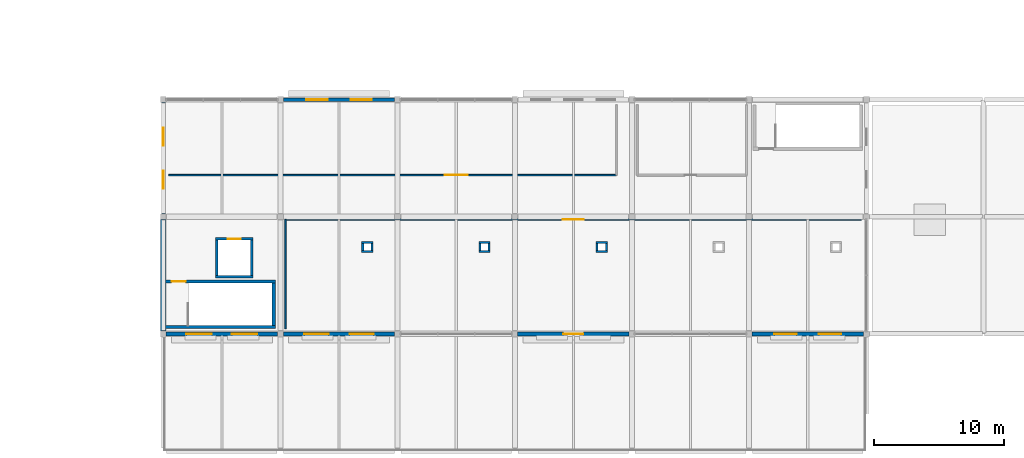
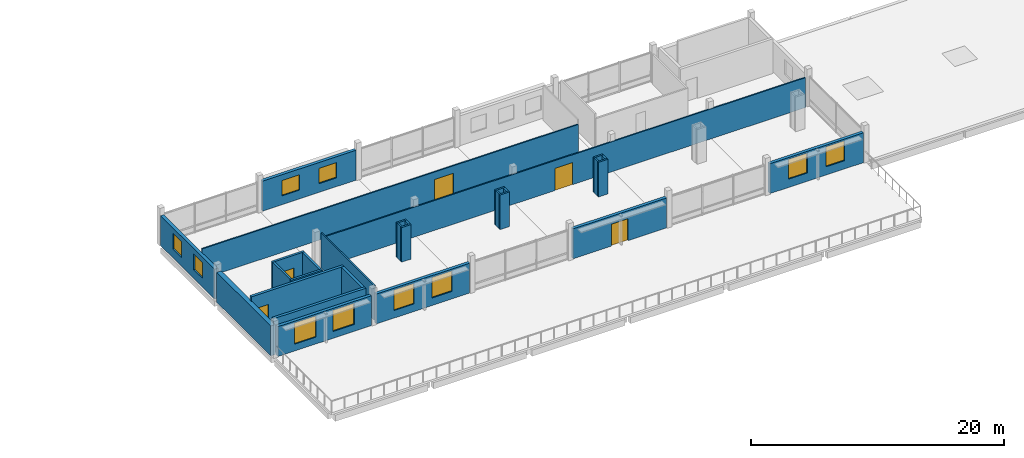
# One storey, part 153 of 163: 29 walls, 10 windows, 5 doors, 15 openings.
"""IFC4 building model written with IfcOpenShell, lengths in metres."""

import ifcopenshell
import ifcopenshell.guid

model = None  # the IFC model being written
_history = None  # IfcOwnerHistory: only IFC2X3 demands one
_inside = {}  # id of a spatial element -> (the spatial element, [elements in it])
_under = {}  # id of a project, library or spatial element -> (it, [spatial elements below it])
_declared = {}  # id of a project -> (the project, [libraries it declares])
_typed = {}  # id of a type object -> (the type object, [elements of that type])
_made_of = {}  # id of a material, layer set ... -> (it, [elements and type objects made of it])


def new_model(schema):
    """Start an empty IFC model of exactly this schema.

    Asked for "IFC4X3", IfcOpenShell would pick the latest addendum, in which some entities
    have other attributes; the version numbers below select the first issue.
    IFC2X3 requires an IfcOwnerHistory on every rooted entity: one is made here for all.
    """
    global model, _history
    if schema == "IFC4X3":
        model = ifcopenshell.file(schema_version=(4, 3, 0, 0))
    else:
        model = ifcopenshell.file(schema=schema)
    _inside.clear()
    _under.clear()
    _declared.clear()
    _typed.clear()
    _made_of.clear()
    _history = None
    if model.schema == "IFC2X3":
        org = make("IfcOrganization", Name="unknown")
        user = make(
            "IfcPersonAndOrganization",
            ThePerson=make("IfcPerson", FamilyName="unknown"),
            TheOrganization=org,
        )
        app = make(
            "IfcApplication",
            ApplicationDeveloper=org,
            Version="unknown",
            ApplicationFullName="unknown",
            ApplicationIdentifier="unknown",
        )
        _history = make(
            "IfcOwnerHistory",
            OwningUser=user,
            OwningApplication=app,
            ChangeAction="ADDED",
            CreationDate=0,
        )
    return model


def make(cls, **values):
    """One entity of the class cls with the attributes given. An attribute that is None is left unset."""
    return model.create_entity(
        cls, **{name: value for name, value in values.items() if value is not None}
    )


def rooted(cls, **values):
    """An entity with a GlobalId (a new one), such as an element, a storey or a relation."""
    return make(cls, GlobalId=ifcopenshell.guid.new(), OwnerHistory=_history, **values)


def si_unit(unit_type, name, prefix=None):
    """IfcSIUnit, for example si_unit("LENGTHUNIT", "METRE", prefix="MILLI")."""
    return make("IfcSIUnit", UnitType=unit_type, Prefix=prefix, Name=name)


def assignment(units):
    """IfcUnitAssignment: the units of a project."""
    return None if units is None else make("IfcUnitAssignment", Units=units)


def point(xyz):
    """IfcCartesianPoint."""
    return None if xyz is None else make("IfcCartesianPoint", Coordinates=xyz)


def direction(xyz):
    """IfcDirection."""
    return None if xyz is None else make("IfcDirection", DirectionRatios=xyz)


def frame(location, z_axis=None, x_axis=None):
    """IfcAxis2Placement3D, a coordinate frame: its origin and axes. An axis left out is left unset."""
    return make(
        "IfcAxis2Placement3D",
        Location=point(location),
        Axis=direction(z_axis),
        RefDirection=direction(x_axis),
    )


def frame_2d(location, x_axis=None):
    """IfcAxis2Placement2D, a coordinate frame in the plane: its origin and x axis."""
    return make(
        "IfcAxis2Placement2D", Location=point(location), RefDirection=direction(x_axis)
    )


def origin():
    """The frame at (0, 0, 0) with its axes left unset."""
    return frame((0.0, 0.0, 0.0))


def place(relative_to, where):
    """IfcLocalPlacement: puts the frame where relative to a parent placement (None: the world)."""
    return make(
        "IfcLocalPlacement", PlacementRelTo=relative_to, RelativePlacement=where
    )


def context(
    kind, dimensions, precision=None, world=None, true_north=None, identifier=None
):
    """IfcGeometricRepresentationContext, for example the 3D "Model" context."""
    return make(
        "IfcGeometricRepresentationContext",
        ContextIdentifier=identifier,
        ContextType=kind,
        CoordinateSpaceDimension=dimensions,
        Precision=precision,
        WorldCoordinateSystem=world,
        TrueNorth=true_north,
    )


def subcontext(parent, identifier, kind, view, scale=None):
    """IfcGeometricRepresentationSubContext, for example "Body" below "Model"."""
    return make(
        "IfcGeometricRepresentationSubContext",
        ContextIdentifier=identifier,
        ContextType=kind,
        ParentContext=parent,
        TargetScale=scale,
        TargetView=view,
    )


def project(units=None, contexts=None):
    """IfcProject with its units and contexts."""
    return rooted(
        "IfcProject",
        Name="project",
        RepresentationContexts=contexts,
        UnitsInContext=assignment(units),
    )


def spatial(cls, under=None, at=None, **own):
    """A site, building, storey or space (cls), placed at a placement, below another one or the project."""
    s = rooted(cls, ObjectPlacement=at, **own)
    if under is not None:
        _under.setdefault(under.id(), (under, []))[1].append(s)
    return s


def profile(cls, at=None, kind="AREA", **sizes):
    """A parametric profile (cls). Its sizes go by their IFC names, for example OverallWidth=200.0."""
    return make(cls, ProfileType=kind, Position=at, **sizes)


def rectangle(**sizes):
    """IfcRectangleProfileDef."""
    return profile("IfcRectangleProfileDef", **sizes)


def extrude(swept, where, along, depth):
    """IfcExtrudedAreaSolid: the profile swept, set in the frame where, extruded along a direction by depth."""
    return make(
        "IfcExtrudedAreaSolid",
        SweptArea=swept,
        Position=where,
        ExtrudedDirection=direction(along),
        Depth=depth,
    )


def shape(context_of_items, identifier, shape_type, items):
    """IfcShapeRepresentation: the items that make up one representation, for example the "Body"."""
    return make(
        "IfcShapeRepresentation",
        ContextOfItems=context_of_items,
        RepresentationIdentifier=identifier,
        RepresentationType=shape_type,
        Items=items,
    )


def material(Name=None, Category=None):
    """IfcMaterial."""
    return make("IfcMaterial", Name=Name, Category=Category)


def layer(
    of_material, thickness, ventilated=None, Name=None, Category=None, Priority=None
):
    """IfcMaterialLayer: one layer of a wall or slab, of a material (None: an air gap)."""
    return make(
        "IfcMaterialLayer",
        Material=of_material,
        LayerThickness=thickness,
        IsVentilated=ventilated,
        Name=Name,
        Category=Category,
        Priority=Priority,
    )


def layer_set(layers, Name=None):
    """IfcMaterialLayerSet."""
    return make("IfcMaterialLayerSet", MaterialLayers=layers, LayerSetName=Name)


def made_of(thing, what):
    """Note that an element or type object is made of a material, layer set ...; save() writes the relation."""
    if what is not None:
        _made_of.setdefault(what.id(), (what, []))[1].append(thing)
    return thing


def type_object(cls, material=None, **own):
    """A type object (cls), such as IfcWallType, which elements share."""
    return made_of(rooted(cls, **own), material)


def element(
    cls,
    number,
    at=None,
    inside=None,
    cuts=None,
    type_object=None,
    material=None,
    context=None,
    identifier="Body",
    shape_type=None,
    held_by="IfcProductDefinitionShape",
    body=None,
    shapes=None,
    **own,
):
    """One element of the class cls, such as IfcWall. Its Tag is "e" and its number.

    at: its placement. inside: the storey or other place that contains it. cuts: it is an
    opening in that element (IfcRelVoidsElement). A single representation is given by context,
    identifier, shape_type and body (its items); several are given by shapes. held_by: the class
    of the entity that holds the representations. save() writes the other relations.
    """
    e = rooted(cls, Tag="e%d" % number, ObjectPlacement=at, **own)
    if body is not None:
        shapes = [shape(context, identifier, shape_type, body)]
    if shapes is not None:
        e.Representation = make(held_by, Representations=shapes)
    if inside is not None:
        _inside.setdefault(inside.id(), (inside, []))[1].append(e)
    if cuts is not None:
        rooted(
            "IfcRelVoidsElement", RelatingBuildingElement=cuts, RelatedOpeningElement=e
        )
    if type_object is not None:
        _typed.setdefault(type_object.id(), (type_object, []))[1].append(e)
    return made_of(e, material)


def fill(opening, filler):
    """IfcRelFillsElement: the door or window that sits in an opening."""
    return rooted(
        "IfcRelFillsElement",
        RelatingOpeningElement=opening,
        RelatedBuildingElement=filler,
    )


def aggregate(whole, parts):
    """IfcRelAggregates: a whole, such as a stair, and the parts it consists of."""
    return rooted("IfcRelAggregates", RelatingObject=whole, RelatedObjects=parts)


def save(model, path):
    """Write the relations noted so far, then the file.

    IfcRelAggregates (storeys below a building ...), IfcRelContainedInSpatialStructure (elements
    in a storey), IfcRelDefinesByType, IfcRelAssociatesMaterial and IfcRelDeclares: one each for
    every whole, place, type object, material and project.
    """
    for whole, parts in _under.values():
        aggregate(whole, parts)
    for where, things in _inside.values():
        rooted(
            "IfcRelContainedInSpatialStructure",
            RelatedElements=things,
            RelatingStructure=where,
        )
    for kind, things in _typed.values():
        rooted("IfcRelDefinesByType", RelatedObjects=things, RelatingType=kind)
    for what, things in _made_of.values():
        rooted("IfcRelAssociatesMaterial", RelatedObjects=things, RelatingMaterial=what)
    for by, libraries in _declared.values():
        rooted("IfcRelDeclares", RelatingContext=by, RelatedDefinitions=libraries)
    model.write(path)


model = new_model("IFC4")

# Units and contexts
model_context = context("Model", 3, precision=1e-05, world=origin(), true_north=direction((0.0, 1.0)))
body_context = subcontext(model_context, "Body", "Model", "MODEL_VIEW")
ifc_project = project(units=[si_unit("LENGTHUNIT", "METRE"), si_unit("AREAUNIT", "SQUARE_METRE"), si_unit("VOLUMEUNIT", "CUBIC_METRE"), si_unit("PLANEANGLEUNIT", "RADIAN"), si_unit("MASSUNIT", "GRAM", prefix="KILO")], contexts=[model_context])

# Site, building, storey
site_placement = place(None, origin())
site = spatial("IfcSite", under=ifc_project, at=site_placement, CompositionType="ELEMENT")
building_placement = place(site_placement, origin())
building = spatial("IfcBuilding", under=site, at=building_placement, Name="Tharagai Park Tramway Depot", CompositionType="ELEMENT")
storey_placement = place(building_placement, frame((0.0, 0.0, 8.39990234375)))
storey = spatial("IfcBuildingStorey", under=building, at=storey_placement, Name="L02", CompositionType="ELEMENT", Elevation=8.39990234375)

# Wall, openings, windows
ifc_material_1 = material(Name="Pressed clay brick", Category="masonry")
ifc_layer_1 = layer(ifc_material_1, 0.280029296875)
ifc_layer_set_1 = layer_set([ifc_layer_1], Name="Pressed clay brick")
wall_type_1 = type_object("IfcWallType", Name="EW-02", PredefinedType="SOLIDWALL", material=ifc_layer_set_1)
wall_1_placement = place(storey_placement, frame((135.222900390625, 9.0, 0.0), z_axis=(0.0, 0.0, 1.0), x_axis=(1.0, 0.0, 0.0)))
wall_1 = element("IfcWall", 1, at=wall_1_placement, inside=storey, type_object=wall_type_1, Name="L02 V5 Exterior Masonry Wall EW-02", PredefinedType="SOLIDWALL", context=body_context, shape_type="SweptSolid", body=[
    extrude(rectangle(XDim=8.55419921875, YDim=0.280029296875, at=frame_2d((4.277099609375, 0.0))), origin(), (0.0, 0.0, 1.0), 2.89208984375),
])
opening_1_placement = place(wall_1_placement, frame((1.551025390625, 0.0, 0.659912109375)))
opening_1 = element("IfcOpeningElement", 2, at=opening_1_placement, cuts=wall_1, Name="Opening WN-19", PredefinedType="OPENING", context=body_context, shape_type="SweptSolid", body=[
    extrude(rectangle(XDim=1.949951171875, YDim=2.050048828125, at=frame_2d((0.97509765625, 1.02490234375))), frame((0.0, 0.14990234375, 0.0), z_axis=(0.0, -1.0, 0.0), x_axis=(1.0, 0.0, 0.0)), (0.0, 0.0, 1.0), 0.300048828125),
])
opening_2_placement = place(wall_1_placement, frame((5.052978515625, 0.0, 0.659912109375)))
opening_2 = element("IfcOpeningElement", 3, at=opening_2_placement, cuts=wall_1, Name="Opening WN-19", PredefinedType="OPENING", context=body_context, shape_type="SweptSolid", body=[
    extrude(rectangle(XDim=1.949951171875, YDim=2.050048828125, at=frame_2d((0.97509765625, 1.02490234375))), frame((0.0, 0.14990234375, 0.0), z_axis=(0.0, -1.0, 0.0), x_axis=(1.0, 0.0, 0.0)), (0.0, 0.0, 1.0), 0.300048828125),
])
ifc_material_2 = material(Name="Laminated solar-control glass", Category="glass")
window_type_1 = type_object("IfcWindowType", Name="WN-19", PartitioningType="SINGLE_PANEL", PredefinedType="WINDOW", material=ifc_material_2)
window_1_placement = place(opening_1_placement, origin())
window_1 = element("IfcWindow", 4, at=window_1_placement, inside=storey, type_object=window_type_1, Name="L02 V5 Gothic Lancet Window WN-19", OverallHeight=2.050048828125, OverallWidth=1.949951171875, PartitioningType="SINGLE_PANEL", PredefinedType="WINDOW", context=body_context, shape_type="SweptSolid", body=[
    extrude(rectangle(XDim=1.949951171875, YDim=2.050048828125, at=frame_2d((0.97509765625, 1.02490234375))), frame((0.0, 0.030029296875, 0.0), z_axis=(0.0, -1.0, 0.0), x_axis=(1.0, 0.0, 0.0)), (0.0, 0.0, 1.0), 0.06005859375),
])
fill(opening_1, window_1)
window_2_placement = place(opening_2_placement, origin())
window_2 = element("IfcWindow", 5, at=window_2_placement, inside=storey, type_object=window_type_1, Name="L02 V5 Gothic Lancet Window WN-19", OverallHeight=2.050048828125, OverallWidth=1.949951171875, PartitioningType="SINGLE_PANEL", PredefinedType="WINDOW", context=body_context, shape_type="SweptSolid", body=[
    extrude(rectangle(XDim=1.949951171875, YDim=2.050048828125, at=frame_2d((0.97509765625, 1.02490234375))), frame((0.0, 0.030029296875, 0.0), z_axis=(0.0, -1.0, 0.0), x_axis=(1.0, 0.0, 0.0)), (0.0, 0.0, 1.0), 0.06005859375),
])
fill(opening_2, window_2)

wall_2_placement = place(storey_placement, frame((144.222900390625, 9.0, 0.0), z_axis=(0.0, 0.0, 1.0), x_axis=(1.0, 0.0, 0.0)))
wall_2 = element("IfcWall", 6, at=wall_2_placement, inside=storey, type_object=wall_type_1, Name="L02 V5 Exterior Masonry Wall EW-02", PredefinedType="SOLIDWALL", context=body_context, shape_type="SweptSolid", body=[
    extrude(rectangle(XDim=8.55419921875, YDim=0.280029296875, at=frame_2d((4.277099609375, 0.0))), origin(), (0.0, 0.0, 1.0), 2.89208984375),
])
opening_3_placement = place(wall_2_placement, frame((1.617919921875, 0.0, 0.72998046875)))
opening_3 = element("IfcOpeningElement", 7, at=opening_3_placement, cuts=wall_2, Name="Opening WN-52", PredefinedType="OPENING", context=body_context, shape_type="SweptSolid", body=[
    extrude(rectangle(XDim=1.85009765625, YDim=1.97998046875, at=frame_2d((0.925048828125, 0.989990234375))), frame((0.0, 0.14990234375, 0.0), z_axis=(0.0, -1.0, 0.0), x_axis=(1.0, 0.0, 0.0)), (0.0, 0.0, 1.0), 0.300048828125),
])
opening_4_placement = place(wall_2_placement, frame((5.0859375, 0.0, 0.72998046875)))
opening_4 = element("IfcOpeningElement", 8, at=opening_4_placement, cuts=wall_2, Name="Opening WN-52", PredefinedType="OPENING", context=body_context, shape_type="SweptSolid", body=[
    extrude(rectangle(XDim=1.85009765625, YDim=1.97998046875, at=frame_2d((0.925048828125, 0.989990234375))), frame((0.0, 0.14990234375, 0.0), z_axis=(0.0, -1.0, 0.0), x_axis=(1.0, 0.0, 0.0)), (0.0, 0.0, 1.0), 0.300048828125),
])
window_type_2 = type_object("IfcWindowType", Name="WN-52", PartitioningType="SINGLE_PANEL", PredefinedType="WINDOW", material=ifc_material_2)
window_3_placement = place(opening_3_placement, origin())
window_3 = element("IfcWindow", 9, at=window_3_placement, inside=storey, type_object=window_type_2, Name="L02 V5 Gothic Lancet Window WN-52", OverallHeight=1.97998046875, OverallWidth=1.85009765625, PartitioningType="SINGLE_PANEL", PredefinedType="WINDOW", context=body_context, shape_type="SweptSolid", body=[
    extrude(rectangle(XDim=1.85009765625, YDim=1.97998046875, at=frame_2d((0.925048828125, 0.989990234375))), frame((0.0, 0.030029296875, 0.0), z_axis=(0.0, -1.0, 0.0), x_axis=(1.0, 0.0, 0.0)), (0.0, 0.0, 1.0), 0.06005859375),
])
fill(opening_3, window_3)
window_4_placement = place(opening_4_placement, origin())
window_4 = element("IfcWindow", 10, at=window_4_placement, inside=storey, type_object=window_type_2, Name="L02 V5 Gothic Lancet Window WN-52", OverallHeight=1.97998046875, OverallWidth=1.85009765625, PartitioningType="SINGLE_PANEL", PredefinedType="WINDOW", context=body_context, shape_type="SweptSolid", body=[
    extrude(rectangle(XDim=1.85009765625, YDim=1.97998046875, at=frame_2d((0.925048828125, 0.989990234375))), frame((0.0, 0.030029296875, 0.0), z_axis=(0.0, -1.0, 0.0), x_axis=(1.0, 0.0, 0.0)), (0.0, 0.0, 1.0), 0.06005859375),
])
fill(opening_4, window_4)

# Wall, opening, door
wall_3_placement = place(storey_placement, frame((162.222900390625, 9.0, 0.0), z_axis=(0.0, 0.0, 1.0), x_axis=(1.0, 0.0, 0.0)))
wall_3 = element("IfcWall", 11, at=wall_3_placement, inside=storey, type_object=wall_type_1, Name="L02 V5 Exterior Masonry Wall EW-02", PredefinedType="SOLIDWALL", context=body_context, shape_type="SweptSolid", body=[
    extrude(rectangle(XDim=8.55419921875, YDim=0.280029296875, at=frame_2d((4.277099609375, 0.0))), origin(), (0.0, 0.0, 1.0), 2.89208984375),
])
opening_5_placement = place(wall_3_placement, frame((3.507080078125, 0.0, 0.0)))
opening_5 = element("IfcOpeningElement", 12, at=opening_5_placement, cuts=wall_3, Name="Opening ED-04", PredefinedType="OPENING", context=body_context, shape_type="SweptSolid", body=[
    extrude(rectangle(XDim=1.5400390625, YDim=2.1201171875, at=frame_2d((0.77001953125, 1.06005859375))), frame((0.0, 0.14990234375, 0.0), z_axis=(0.0, -1.0, 0.0), x_axis=(1.0, 0.0, 0.0)), (0.0, 0.0, 1.0), 0.300048828125),
])
ifc_material_3 = material(Name="Anodised aluminium", Category="aluminium")
door_type_1 = type_object("IfcDoorType", Name="ED-04", OperationType="DOUBLE_SWING_LEFT", PredefinedType="DOOR", material=ifc_material_3)
door_1_placement = place(opening_5_placement, frame((1.5400390625, 0.0, 0.0), z_axis=(0.0, 0.0, 1.0), x_axis=(-1.0, 0.0, 0.0)))
door_1 = element("IfcDoor", 13, at=door_1_placement, inside=storey, type_object=door_type_1, Name="T-L02-V5 Terrace Access Door", OperationType="DOUBLE_SWING_LEFT", OverallHeight=2.1201171875, OverallWidth=1.5400390625, PredefinedType="DOOR", context=body_context, shape_type="SweptSolid", body=[
    extrude(rectangle(XDim=1.5400390625, YDim=2.1201171875, at=frame_2d((0.77001953125, 1.06005859375))), frame((0.0, 0.02490234375, 0.0), z_axis=(0.0, -1.0, 0.0), x_axis=(1.0, 0.0, 0.0)), (0.0, 0.0, 1.0), 0.050048828125),
])
fill(opening_5, door_1)

# Wall, openings, windows
wall_4_placement = place(storey_placement, frame((180.222900390625, 9.0, 0.0), z_axis=(0.0, 0.0, 1.0), x_axis=(1.0, 0.0, 0.0)))
wall_4 = element("IfcWall", 14, at=wall_4_placement, inside=storey, type_object=wall_type_1, Name="L02 V5 Exterior Masonry Wall EW-02", PredefinedType="SOLIDWALL", context=body_context, shape_type="SweptSolid", body=[
    extrude(rectangle(XDim=8.55419921875, YDim=0.280029296875, at=frame_2d((4.277099609375, 0.0))), origin(), (0.0, 0.0, 1.0), 2.89208984375),
])
opening_6_placement = place(wall_4_placement, frame((1.718017578125, 0.0, 0.800048828125)))
opening_6 = element("IfcOpeningElement", 15, at=opening_6_placement, cuts=wall_4, Name="Opening WN-21", PredefinedType="OPENING", context=body_context, shape_type="SweptSolid", body=[
    extrude(rectangle(XDim=1.699951171875, YDim=1.919921875, at=frame_2d((0.85009765625, 0.9599609375))), frame((0.0, 0.14990234375, 0.0), z_axis=(0.0, -1.0, 0.0), x_axis=(1.0, 0.0, 0.0)), (0.0, 0.0, 1.0), 0.300048828125),
])
opening_7_placement = place(wall_4_placement, frame((5.135986328125, 0.0, 0.800048828125)))
opening_7 = element("IfcOpeningElement", 16, at=opening_7_placement, cuts=wall_4, Name="Opening WN-21", PredefinedType="OPENING", context=body_context, shape_type="SweptSolid", body=[
    extrude(rectangle(XDim=1.699951171875, YDim=1.919921875, at=frame_2d((0.85009765625, 0.9599609375))), frame((0.0, 0.14990234375, 0.0), z_axis=(0.0, -1.0, 0.0), x_axis=(1.0, 0.0, 0.0)), (0.0, 0.0, 1.0), 0.300048828125),
])
window_type_3 = type_object("IfcWindowType", Name="WN-21", PartitioningType="SINGLE_PANEL", PredefinedType="WINDOW", material=ifc_material_2)
window_5_placement = place(opening_6_placement, origin())
window_5 = element("IfcWindow", 17, at=window_5_placement, inside=storey, type_object=window_type_3, Name="L02 V5 Gothic Lancet Window WN-21", OverallHeight=1.919921875, OverallWidth=1.699951171875, PartitioningType="SINGLE_PANEL", PredefinedType="WINDOW", context=body_context, shape_type="SweptSolid", body=[
    extrude(rectangle(XDim=1.699951171875, YDim=1.919921875, at=frame_2d((0.85009765625, 0.9599609375))), frame((0.0, 0.030029296875, 0.0), z_axis=(0.0, -1.0, 0.0), x_axis=(1.0, 0.0, 0.0)), (0.0, 0.0, 1.0), 0.06005859375),
])
fill(opening_6, window_5)
window_6_placement = place(opening_7_placement, origin())
window_6 = element("IfcWindow", 18, at=window_6_placement, inside=storey, type_object=window_type_3, Name="L02 V5 Gothic Lancet Window WN-21", OverallHeight=1.919921875, OverallWidth=1.699951171875, PartitioningType="SINGLE_PANEL", PredefinedType="WINDOW", context=body_context, shape_type="SweptSolid", body=[
    extrude(rectangle(XDim=1.699951171875, YDim=1.919921875, at=frame_2d((0.85009765625, 0.9599609375))), frame((0.0, 0.030029296875, 0.0), z_axis=(0.0, -1.0, 0.0), x_axis=(1.0, 0.0, 0.0)), (0.0, 0.0, 1.0), 0.06005859375),
])
fill(opening_7, window_6)

wall_5_placement = place(storey_placement, frame((144.222900390625, 27.0, 0.0), z_axis=(0.0, 0.0, 1.0), x_axis=(1.0, 0.0, 0.0)))
wall_5 = element("IfcWall", 19, at=wall_5_placement, inside=storey, type_object=wall_type_1, Name="L02 V5 Exterior Masonry Wall EW-02", PredefinedType="SOLIDWALL", context=body_context, shape_type="SweptSolid", body=[
    extrude(rectangle(XDim=8.55419921875, YDim=0.280029296875, at=frame_2d((4.277099609375, 0.0))), origin(), (0.0, 0.0, 1.0), 2.89208984375),
])
opening_8_placement = place(wall_5_placement, frame((1.77099609375, 0.0, 0.85009765625)))
opening_8 = element("IfcOpeningElement", 20, at=opening_8_placement, cuts=wall_5, Name="Opening WN-22", PredefinedType="OPENING", context=body_context, shape_type="SweptSolid", body=[
    extrude(rectangle(XDim=1.6201171875, YDim=1.47998046875, at=frame_2d((0.81005859375, 0.739990234375))), frame((0.0, 0.14990234375, 0.0), z_axis=(0.0, -1.0, 0.0), x_axis=(1.0, 0.0, 0.0)), (0.0, 0.0, 1.0), 0.300048828125),
])
opening_9_placement = place(wall_5_placement, frame((5.1630859375, 0.0, 0.85009765625)))
opening_9 = element("IfcOpeningElement", 21, at=opening_9_placement, cuts=wall_5, Name="Opening WN-22", PredefinedType="OPENING", context=body_context, shape_type="SweptSolid", body=[
    extrude(rectangle(XDim=1.6201171875, YDim=1.47998046875, at=frame_2d((0.81005859375, 0.739990234375))), frame((0.0, 0.14990234375, 0.0), z_axis=(0.0, -1.0, 0.0), x_axis=(1.0, 0.0, 0.0)), (0.0, 0.0, 1.0), 0.300048828125),
])
window_type_4 = type_object("IfcWindowType", Name="WN-22", PartitioningType="SINGLE_PANEL", PredefinedType="WINDOW", material=ifc_material_2)
window_7_placement = place(opening_8_placement, origin())
window_7 = element("IfcWindow", 22, at=window_7_placement, inside=storey, type_object=window_type_4, Name="L02 V5 Gothic Lancet Window WN-22", OverallHeight=1.47998046875, OverallWidth=1.6201171875, PartitioningType="SINGLE_PANEL", PredefinedType="WINDOW", context=body_context, shape_type="SweptSolid", body=[
    extrude(rectangle(XDim=1.6201171875, YDim=1.47998046875, at=frame_2d((0.81005859375, 0.739990234375))), frame((0.0, 0.030029296875, 0.0), z_axis=(0.0, -1.0, 0.0), x_axis=(1.0, 0.0, 0.0)), (0.0, 0.0, 1.0), 0.06005859375),
])
fill(opening_8, window_7)
window_8_placement = place(opening_9_placement, origin())
window_8 = element("IfcWindow", 23, at=window_8_placement, inside=storey, type_object=window_type_4, Name="L02 V5 Gothic Lancet Window WN-22", OverallHeight=1.47998046875, OverallWidth=1.6201171875, PartitioningType="SINGLE_PANEL", PredefinedType="WINDOW", context=body_context, shape_type="SweptSolid", body=[
    extrude(rectangle(XDim=1.6201171875, YDim=1.47998046875, at=frame_2d((0.81005859375, 0.739990234375))), frame((0.0, 0.030029296875, 0.0), z_axis=(0.0, -1.0, 0.0), x_axis=(1.0, 0.0, 0.0)), (0.0, 0.0, 1.0), 0.06005859375),
])
fill(opening_9, window_8)

# Wall
ifc_material_4 = material(Name="Charnockite stone", Category="masonry")
ifc_layer_2 = layer(ifc_material_4, 0.419921875)
ifc_layer_set_2 = layer_set([ifc_layer_2], Name="Charnockite stone")
wall_type_2 = type_object("IfcWallType", Name="EW-07", PredefinedType="SOLIDWALL", material=ifc_layer_set_2)
wall_6_placement = place(storey_placement, frame((135.0, 9.222900390625, 0.0), z_axis=(0.0, 0.0, 1.0), x_axis=(0.0, 1.0, 0.0)))
element("IfcWall", 24, at=wall_6_placement, inside=storey, type_object=wall_type_2, Name="L02 V5 Exterior Masonry Wall EW-07", PredefinedType="SOLIDWALL", context=body_context, shape_type="SweptSolid", body=[
    extrude(rectangle(XDim=8.55419921875, YDim=0.419921875, at=frame_2d((4.277099609375, 0.0))), origin(), (0.0, 0.0, 1.0), 2.89208984375),
])

# Wall, openings, windows
ifc_layer_3 = layer(ifc_material_1, 0.300048828125)
ifc_layer_set_3 = layer_set([ifc_layer_3], Name="Pressed clay brick")
wall_type_3 = type_object("IfcWallType", Name="EW-08", PredefinedType="SOLIDWALL", material=ifc_layer_set_3)
wall_7_placement = place(storey_placement, frame((135.0, 18.222900390625, 0.0), z_axis=(0.0, 0.0, 1.0), x_axis=(0.0, 1.0, 0.0)))
wall_7 = element("IfcWall", 25, at=wall_7_placement, inside=storey, type_object=wall_type_3, Name="L02 V5 Exterior Masonry Wall EW-08", PredefinedType="SOLIDWALL", context=body_context, shape_type="SweptSolid", body=[
    extrude(rectangle(XDim=8.55419921875, YDim=0.300048828125, at=frame_2d((4.277099609375, 0.0))), origin(), (0.0, 0.0, 1.0), 2.89208984375),
])
opening_10_placement = place(wall_7_placement, frame((1.930908203125, 0.0, 0.85009765625)))
opening_10 = element("IfcOpeningElement", 26, at=opening_10_placement, cuts=wall_7, Name="Opening WN-12", PredefinedType="OPENING", context=body_context, shape_type="SweptSolid", body=[
    extrude(rectangle(XDim=1.3798828125, YDim=1.52001953125, at=frame_2d((0.68994140625, 0.760009765625))), frame((0.0, 0.159912109375, 0.0), z_axis=(0.0, -1.0, 0.0), x_axis=(1.0, 0.0, 0.0)), (0.0, 0.0, 1.0), 0.320068359375),
])
opening_11_placement = place(wall_7_placement, frame((5.242919921875, 0.0, 0.85009765625)))
opening_11 = element("IfcOpeningElement", 27, at=opening_11_placement, cuts=wall_7, Name="Opening WN-12", PredefinedType="OPENING", context=body_context, shape_type="SweptSolid", body=[
    extrude(rectangle(XDim=1.3798828125, YDim=1.52001953125, at=frame_2d((0.68994140625, 0.760009765625))), frame((0.0, 0.159912109375, 0.0), z_axis=(0.0, -1.0, 0.0), x_axis=(1.0, 0.0, 0.0)), (0.0, 0.0, 1.0), 0.320068359375),
])
window_type_5 = type_object("IfcWindowType", Name="WN-12", PartitioningType="SINGLE_PANEL", PredefinedType="WINDOW", material=ifc_material_2)
window_9_placement = place(opening_10_placement, origin())
window_9 = element("IfcWindow", 28, at=window_9_placement, inside=storey, type_object=window_type_5, Name="L02 V5 Side Lancet Window WN-12", OverallHeight=1.52001953125, OverallWidth=1.3798828125, PartitioningType="SINGLE_PANEL", PredefinedType="WINDOW", context=body_context, shape_type="SweptSolid", body=[
    extrude(rectangle(XDim=1.3798828125, YDim=1.52001953125, at=frame_2d((0.68994140625, 0.760009765625))), frame((0.0, 0.030029296875, 0.0), z_axis=(0.0, -1.0, 0.0), x_axis=(1.0, 0.0, 0.0)), (0.0, 0.0, 1.0), 0.06005859375),
])
fill(opening_10, window_9)
window_10_placement = place(opening_11_placement, origin())
window_10 = element("IfcWindow", 29, at=window_10_placement, inside=storey, type_object=window_type_5, Name="L02 V5 Side Lancet Window WN-12", OverallHeight=1.52001953125, OverallWidth=1.3798828125, PartitioningType="SINGLE_PANEL", PredefinedType="WINDOW", context=body_context, shape_type="SweptSolid", body=[
    extrude(rectangle(XDim=1.3798828125, YDim=1.52001953125, at=frame_2d((0.68994140625, 0.760009765625))), frame((0.0, 0.030029296875, 0.0), z_axis=(0.0, -1.0, 0.0), x_axis=(1.0, 0.0, 0.0)), (0.0, 0.0, 1.0), 0.06005859375),
])
fill(opening_11, window_10)

# Walls
ifc_layer_4 = layer(ifc_material_1, 0.159912109375)
ifc_layer_set_4 = layer_set([ifc_layer_4], Name="Pressed clay brick")
wall_type_4 = type_object("IfcWallType", Name="IW-02", PredefinedType="PARTITIONING", material=ifc_layer_set_4)
for number, where, z_axis, x_axis, name in (
    (30, (150.239990234375, 15.320068359375, 0.0), (0.0, 0.0, 1.0), (1.0, 0.0, 0.0), "L02 Pipe Riser Enclosure Wall 47 S"),
    (31, (150.239990234375, 16.030029296875, 0.0), (0.0, 0.0, 1.0), (1.0, 0.0, 0.0), "L02 Pipe Riser Enclosure Wall 47 N"),
):
    element("IfcWall", number, at=place(storey_placement, frame(where, z_axis=z_axis, x_axis=x_axis)), inside=storey, type_object=wall_type_4, Name=name, PredefinedType="PARTITIONING", context=body_context, shape_type="SweptSolid", body=[
        extrude(rectangle(XDim=0.8701171875, YDim=0.159912109375, at=frame_2d((0.43505859375, 0.0))), origin(), (0.0, 0.0, 1.0), 3.35009765625),
    ])
for number, where, z_axis, x_axis, name in (
    (32, (150.320068359375, 15.39990234375, 0.0), (0.0, 0.0, 1.0), (0.0, 1.0, 0.0), "L02 Pipe Riser Enclosure Wall 47 W"),
    (33, (151.030029296875, 15.39990234375, 0.0), (0.0, 0.0, 1.0), (0.0, 1.0, 0.0), "L02 Pipe Riser Enclosure Wall 47 E"),
):
    element("IfcWall", number, at=place(storey_placement, frame(where, z_axis=z_axis, x_axis=x_axis)), inside=storey, type_object=wall_type_4, Name=name, PredefinedType="PARTITIONING", context=body_context, shape_type="SweptSolid", body=[
        extrude(rectangle(XDim=0.550048828125, YDim=0.159912109375, at=frame_2d((0.27490234375, 0.0))), origin(), (0.0, 0.0, 1.0), 3.35009765625),
    ])
for number, where, z_axis, x_axis, name in (
    (34, (159.239990234375, 15.320068359375, 0.0), (0.0, 0.0, 1.0), (1.0, 0.0, 0.0), "L02 Pipe Riser Enclosure Wall 48 S"),
    (35, (159.239990234375, 16.030029296875, 0.0), (0.0, 0.0, 1.0), (1.0, 0.0, 0.0), "L02 Pipe Riser Enclosure Wall 48 N"),
):
    element("IfcWall", number, at=place(storey_placement, frame(where, z_axis=z_axis, x_axis=x_axis)), inside=storey, type_object=wall_type_4, Name=name, PredefinedType="PARTITIONING", context=body_context, shape_type="SweptSolid", body=[
        extrude(rectangle(XDim=0.8701171875, YDim=0.159912109375, at=frame_2d((0.43505859375, 0.0))), origin(), (0.0, 0.0, 1.0), 3.35009765625),
    ])
for number, where, z_axis, x_axis, name in (
    (36, (159.320068359375, 15.39990234375, 0.0), (0.0, 0.0, 1.0), (0.0, 1.0, 0.0), "L02 Pipe Riser Enclosure Wall 48 W"),
    (37, (160.030029296875, 15.39990234375, 0.0), (0.0, 0.0, 1.0), (0.0, 1.0, 0.0), "L02 Pipe Riser Enclosure Wall 48 E"),
):
    element("IfcWall", number, at=place(storey_placement, frame(where, z_axis=z_axis, x_axis=x_axis)), inside=storey, type_object=wall_type_4, Name=name, PredefinedType="PARTITIONING", context=body_context, shape_type="SweptSolid", body=[
        extrude(rectangle(XDim=0.550048828125, YDim=0.159912109375, at=frame_2d((0.27490234375, 0.0))), origin(), (0.0, 0.0, 1.0), 3.35009765625),
    ])
for number, where, z_axis, x_axis, name in (
    (38, (168.239990234375, 15.320068359375, 0.0), (0.0, 0.0, 1.0), (1.0, 0.0, 0.0), "L02 Pipe Riser Enclosure Wall 49 S"),
    (39, (168.239990234375, 16.030029296875, 0.0), (0.0, 0.0, 1.0), (1.0, 0.0, 0.0), "L02 Pipe Riser Enclosure Wall 49 N"),
):
    element("IfcWall", number, at=place(storey_placement, frame(where, z_axis=z_axis, x_axis=x_axis)), inside=storey, type_object=wall_type_4, Name=name, PredefinedType="PARTITIONING", context=body_context, shape_type="SweptSolid", body=[
        extrude(rectangle(XDim=0.8701171875, YDim=0.159912109375, at=frame_2d((0.43505859375, 0.0))), origin(), (0.0, 0.0, 1.0), 3.35009765625),
    ])
for number, where, z_axis, x_axis, name in (
    (40, (168.320068359375, 15.39990234375, 0.0), (0.0, 0.0, 1.0), (0.0, 1.0, 0.0), "L02 Pipe Riser Enclosure Wall 49 W"),
    (41, (169.030029296875, 15.39990234375, 0.0), (0.0, 0.0, 1.0), (0.0, 1.0, 0.0), "L02 Pipe Riser Enclosure Wall 49 E"),
):
    element("IfcWall", number, at=place(storey_placement, frame(where, z_axis=z_axis, x_axis=x_axis)), inside=storey, type_object=wall_type_4, Name=name, PredefinedType="PARTITIONING", context=body_context, shape_type="SweptSolid", body=[
        extrude(rectangle(XDim=0.550048828125, YDim=0.159912109375, at=frame_2d((0.27490234375, 0.0))), origin(), (0.0, 0.0, 1.0), 3.35009765625),
    ])

# Wall, opening, door
ifc_material_5 = material(Name="Gypsum board", Category="gypsum")
ifc_layer_5 = layer(ifc_material_5, 0.1201171875)
ifc_layer_set_5 = layer_set([ifc_layer_5], Name="Gypsum board")
wall_type_5 = type_object("IfcWallType", Name="IW-03", PredefinedType="PARTITIONING", material=ifc_layer_set_5)
wall_8_placement = place(storey_placement, frame((144.39990234375, 17.800048828125, 0.0), z_axis=(0.0, 0.0, 1.0), x_axis=(1.0, 0.0, 0.0)))
wall_8 = element("IfcWall", 42, at=wall_8_placement, inside=storey, type_object=wall_type_5, Name="Community Learning Studio Partition North", PredefinedType="PARTITIONING", context=body_context, shape_type="SweptSolid", body=[
    extrude(rectangle(XDim=44.2001953125, YDim=0.1201171875, at=frame_2d((22.10009765625, 0.0))), origin(), (0.0, 0.0, 1.0), 2.89501953125),
])
opening_12_placement = place(wall_8_placement, frame((21.2900390625, 0.0, 0.0)))
opening_12 = element("IfcOpeningElement", 43, at=opening_12_placement, cuts=wall_8, Name="Opening ID-01", PredefinedType="OPENING", context=body_context, shape_type="SweptSolid", body=[
    extrude(rectangle(XDim=1.6201171875, YDim=2.139892578125, at=frame_2d((0.81005859375, 1.06982421875))), frame((0.0, 0.070068359375, 0.0), z_axis=(0.0, -1.0, 0.0), x_axis=(1.0, 0.0, 0.0)), (0.0, 0.0, 1.0), 0.14013671875),
])
door_type_2 = type_object("IfcDoorType", Name="ID-01", OperationType="DOUBLE_SWING_LEFT", PredefinedType="DOOR", material=ifc_material_3)
door_2_placement = place(opening_12_placement, origin())
door_2 = element("IfcDoor", 44, at=door_2_placement, inside=storey, type_object=door_type_2, Name="Community Learning Studio Door", OperationType="DOUBLE_SWING_LEFT", OverallHeight=2.139892578125, OverallWidth=1.6201171875, PredefinedType="DOOR", context=body_context, shape_type="SweptSolid", body=[
    extrude(rectangle(XDim=1.6201171875, YDim=2.139892578125, at=frame_2d((0.81005859375, 1.06982421875))), frame((0.0, 0.02490234375, 0.0), z_axis=(0.0, -1.0, 0.0), x_axis=(1.0, 0.0, 0.0)), (0.0, 0.0, 1.0), 0.050048828125),
])
fill(opening_12, door_2)

# Wall
wall_9_placement = place(storey_placement, frame((144.39990234375, 9.39990234375, 0.0), z_axis=(0.0, 0.0, 1.0), x_axis=(0.0, 1.0, 0.0)))
element("IfcWall", 45, at=wall_9_placement, inside=storey, type_object=wall_type_5, Name="Community Learning Studio Partition West", PredefinedType="PARTITIONING", context=body_context, shape_type="SweptSolid", body=[
    extrude(rectangle(XDim=8.400146484375, YDim=0.1201171875, at=frame_2d((4.2001953125, 0.0))), origin(), (0.0, 0.0, 1.0), 3.35009765625),
])

# Wall, opening, door
wall_10_placement = place(storey_placement, frame((135.39990234375, 21.199951171875, 0.0), z_axis=(0.0, 0.0, 1.0), x_axis=(1.0, 0.0, 0.0)))
wall_10 = element("IfcWall", 46, at=wall_10_placement, inside=storey, type_object=wall_type_5, Name="Civic Mobility Lecture Room Partition South", PredefinedType="PARTITIONING", context=body_context, shape_type="SweptSolid", body=[
    extrude(rectangle(XDim=34.400146484375, YDim=0.1201171875, at=frame_2d((17.2001953125, 0.0))), origin(), (0.0, 0.0, 1.0), 2.89501953125),
])
opening_13_placement = place(wall_10_placement, frame((21.22998046875, 0.0, 0.0)))
opening_13 = element("IfcOpeningElement", 47, at=opening_13_placement, cuts=wall_10, Name="Opening ID-04", PredefinedType="OPENING", context=body_context, shape_type="SweptSolid", body=[
    extrude(rectangle(XDim=1.739990234375, YDim=2.179931640625, at=frame_2d((0.8701171875, 1.08984375))), frame((0.0, 0.070068359375, 0.0), z_axis=(0.0, -1.0, 0.0), x_axis=(1.0, 0.0, 0.0)), (0.0, 0.0, 1.0), 0.14013671875),
])
door_type_3 = type_object("IfcDoorType", Name="ID-04", OperationType="DOUBLE_SWING_LEFT", PredefinedType="DOOR", material=ifc_material_3)
door_3_placement = place(opening_13_placement, frame((1.739990234375, 0.0, 0.0), z_axis=(0.0, 0.0, 1.0), x_axis=(-1.0, 0.0, 0.0)))
door_3 = element("IfcDoor", 48, at=door_3_placement, inside=storey, type_object=door_type_3, Name="Civic Mobility Lecture Room Door", OperationType="DOUBLE_SWING_LEFT", OverallHeight=2.179931640625, OverallWidth=1.739990234375, PredefinedType="DOOR", context=body_context, shape_type="SweptSolid", body=[
    extrude(rectangle(XDim=1.739990234375, YDim=2.179931640625, at=frame_2d((0.8701171875, 1.08984375))), frame((0.0, 0.02490234375, 0.0), z_axis=(0.0, -1.0, 0.0), x_axis=(1.0, 0.0, 0.0)), (0.0, 0.0, 1.0), 0.050048828125),
])
fill(opening_13, door_3)

# Wall
ifc_material_6 = material(Name="Concrete M40", Category="concrete")
ifc_layer_6 = layer(ifc_material_6, 0.239990234375)
ifc_layer_set_6 = layer_set([ifc_layer_6], Name="Concrete M40")
wall_type_6 = type_object("IfcWallType", Name="SW-01", PredefinedType="SHEAR", material=ifc_layer_set_6)
wall_11_placement = place(storey_placement, frame((135.159912109375, 9.530029296875, 0.0), z_axis=(0.0, 0.0, 1.0), x_axis=(1.0, 0.0, 0.0)))
element("IfcWall", 49, at=wall_11_placement, inside=storey, type_object=wall_type_6, Name="Core C6 L02 Shear Wall South", PredefinedType="SHEAR", context=body_context, shape_type="SweptSolid", body=[
    extrude(rectangle(XDim=8.440185546875, YDim=0.239990234375, at=frame_2d((4.22021484375, 0.0))), origin(), (0.0, 0.0, 1.0), 3.35009765625),
])

# Wall, opening, door
wall_12_placement = place(storey_placement, frame((135.159912109375, 13.02001953125, 0.0), z_axis=(0.0, 0.0, 1.0), x_axis=(1.0, 0.0, 0.0)))
wall_12 = element("IfcWall", 50, at=wall_12_placement, inside=storey, type_object=wall_type_6, Name="Core C6 L02 Shear Wall North", PredefinedType="SHEAR", context=body_context, shape_type="SweptSolid", body=[
    extrude(rectangle(XDim=8.440185546875, YDim=0.239990234375, at=frame_2d((4.22021484375, 0.0))), origin(), (0.0, 0.0, 1.0), 3.35009765625),
])
opening_14_placement = place(wall_12_placement, frame((0.47998046875, 0.0, 0.0)))
opening_14 = element("IfcOpeningElement", 51, at=opening_14_placement, cuts=wall_12, Name="Opening ID-05", PredefinedType="OPENING", context=body_context, shape_type="SweptSolid", body=[
    extrude(rectangle(XDim=1.080078125, YDim=2.080078125, at=frame_2d((0.5400390625, 1.0400390625))), frame((0.0, 0.1298828125, 0.0), z_axis=(0.0, -1.0, 0.0), x_axis=(1.0, 0.0, 0.0)), (0.0, 0.0, 1.0), 0.260009765625),
])
ifc_material_7 = material(Name="Galvanised steel", Category="steel")
door_type_4 = type_object("IfcDoorType", Name="ID-05", OperationType="NOTDEFINED", PredefinedType="DOOR", material=ifc_material_7)
door_4_placement = place(opening_14_placement, frame((1.080078125, 0.0, 0.0), z_axis=(0.0, 0.0, 1.0), x_axis=(-1.0, 0.0, 0.0)))
door_4 = element("IfcDoor", 52, at=door_4_placement, inside=storey, type_object=door_type_4, Name="Stair ST-06 L02 Fire Door", OperationType="SINGLE_SWING_LEFT", OverallHeight=2.080078125, OverallWidth=1.080078125, PredefinedType="DOOR", context=body_context, shape_type="SweptSolid", body=[
    extrude(rectangle(XDim=1.080078125, YDim=2.080078125, at=frame_2d((0.5400390625, 1.0400390625))), frame((0.0, 0.02490234375, 0.0), z_axis=(0.0, -1.0, 0.0), x_axis=(1.0, 0.0, 0.0)), (0.0, 0.0, 1.0), 0.050048828125),
])
fill(opening_14, door_4)

# Walls
wall_13_placement = place(storey_placement, frame((143.47998046875, 9.64990234375, 0.0), z_axis=(0.0, 0.0, 1.0), x_axis=(0.0, 1.0, 0.0)))
element("IfcWall", 53, at=wall_13_placement, inside=storey, type_object=wall_type_6, Name="Core C6 L02 Shear Wall East", PredefinedType="SHEAR", context=body_context, shape_type="SweptSolid", body=[
    extrude(rectangle(XDim=3.25, YDim=0.239990234375, at=frame_2d((1.625, 0.0))), origin(), (0.0, 0.0, 1.0), 3.35009765625),
])
ifc_layer_7 = layer(ifc_material_6, 0.199951171875)
ifc_layer_set_7 = layer_set([ifc_layer_7], Name="Concrete M40")
wall_type_7 = type_object("IfcWallType", Name="SW-02", PredefinedType="SHEAR", material=ifc_layer_set_7)
wall_14_placement = place(storey_placement, frame((139.0, 13.39990234375, 0.0), z_axis=(0.0, 0.0, 1.0), x_axis=(1.0, 0.0, 0.0)))
element("IfcWall", 54, at=wall_14_placement, inside=storey, type_object=wall_type_7, Name="Lift LP-03 L02 Shaft Wall South", PredefinedType="SHEAR", context=body_context, shape_type="SweptSolid", body=[
    extrude(rectangle(XDim=2.89990234375, YDim=0.199951171875, at=frame_2d((1.449951171875, 0.0))), origin(), (0.0, 0.0, 1.0), 3.35009765625),
])

# Wall, opening, door
wall_15_placement = place(storey_placement, frame((139.0, 16.300048828125, 0.0), z_axis=(0.0, 0.0, 1.0), x_axis=(1.0, 0.0, 0.0)))
wall_15 = element("IfcWall", 55, at=wall_15_placement, inside=storey, type_object=wall_type_7, Name="Lift LP-03 L02 Shaft Wall North", PredefinedType="SHEAR", context=body_context, shape_type="SweptSolid", body=[
    extrude(rectangle(XDim=2.89990234375, YDim=0.199951171875, at=frame_2d((1.449951171875, 0.0))), origin(), (0.0, 0.0, 1.0), 3.35009765625),
])
opening_15_placement = place(wall_15_placement, frame((0.949951171875, 0.0, 0.0)))
opening_15 = element("IfcOpeningElement", 56, at=opening_15_placement, cuts=wall_15, Name="Opening LD-02", PredefinedType="OPENING", context=body_context, shape_type="SweptSolid", body=[
    extrude(rectangle(XDim=1.0, YDim=2.10009765625, at=frame_2d((0.5, 1.050048828125))), frame((0.0, 0.10986328125, 0.0), z_axis=(0.0, -1.0, 0.0), x_axis=(1.0, 0.0, 0.0)), (0.0, 0.0, 1.0), 0.219970703125),
])
door_type_5 = type_object("IfcDoorType", Name="LD-02", OperationType="SLIDING_TO_LEFT", PredefinedType="DOOR", material=ifc_material_3)
door_5_placement = place(opening_15_placement, origin())
door_5 = element("IfcDoor", 57, at=door_5_placement, inside=storey, type_object=door_type_5, Name="Lift LP-03 L02 Sliding Landing Door", OperationType="SLIDING_TO_LEFT", OverallHeight=2.10009765625, OverallWidth=1.0, PredefinedType="DOOR", context=body_context, shape_type="SweptSolid", body=[
    extrude(rectangle(XDim=1.0, YDim=2.10009765625, at=frame_2d((0.5, 1.050048828125))), frame((0.0, 0.02490234375, 0.0), z_axis=(0.0, -1.0, 0.0), x_axis=(1.0, 0.0, 0.0)), (0.0, 0.0, 1.0), 0.050048828125),
])
fill(opening_15, door_5)

# Walls
for number, where, z_axis, x_axis, name in (
    (58, (139.10009765625, 13.5, 0.0), (0.0, 0.0, 1.0), (0.0, 1.0, 0.0), "Lift LP-03 L02 Shaft Wall West"),
    (59, (141.800048828125, 13.5, 0.0), (0.0, 0.0, 1.0), (0.0, 1.0, 0.0), "Lift LP-03 L02 Shaft Wall East"),
):
    element("IfcWall", number, at=place(storey_placement, frame(where, z_axis=z_axis, x_axis=x_axis)), inside=storey, type_object=wall_type_7, Name=name, PredefinedType="SHEAR", context=body_context, shape_type="SweptSolid", body=[
        extrude(rectangle(XDim=2.699951171875, YDim=0.199951171875, at=frame_2d((1.35009765625, 0.0))), origin(), (0.0, 0.0, 1.0), 3.35009765625),
    ])

save(model, "model.ifc")
